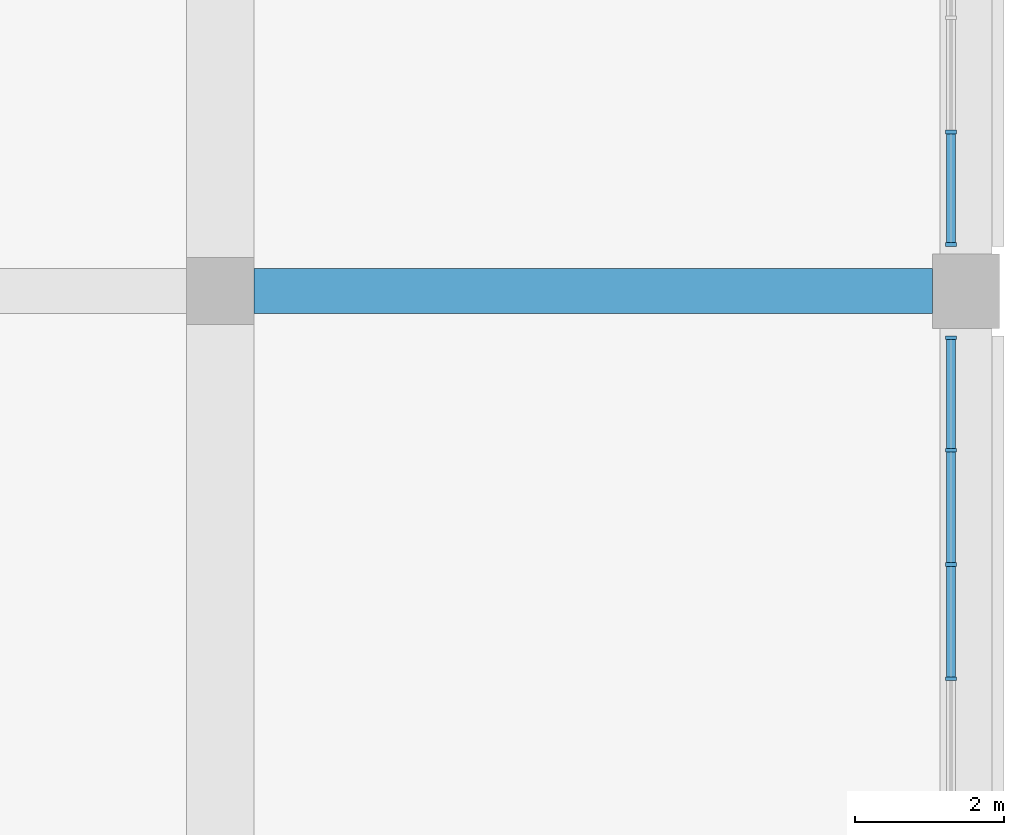
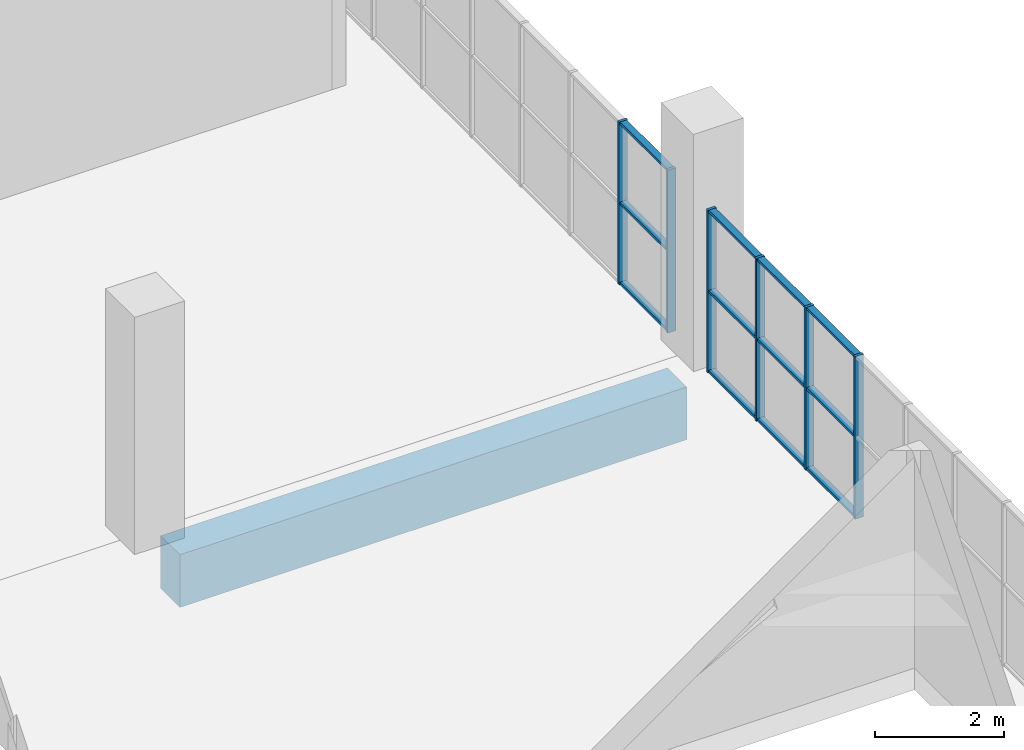
# One storey, part 33 of 199: 18 members, 1 beam, 2 elements without a shape of their own.
"""IFC4 building model written with IfcOpenShell, lengths in metres."""

from ifc_helpers import new_model, si_unit, direction, frame, origin, origin_2d, place, context, subcontext, project, spatial, rectangle, extrude, material, material_profile, profile_set, type_object, element, aggregate, save


model = new_model("IFC4")

# Units and contexts
model_context = context("Model", 3, precision=1e-05, world=origin(), true_north=direction((0.0, 1.0)))
body_context = subcontext(model_context, "Body", "Model", "MODEL_VIEW")
ifc_project = project(units=[si_unit("LENGTHUNIT", "METRE"), si_unit("AREAUNIT", "SQUARE_METRE"), si_unit("VOLUMEUNIT", "CUBIC_METRE"), si_unit("PLANEANGLEUNIT", "RADIAN"), si_unit("MASSUNIT", "GRAM", prefix="KILO")], contexts=[model_context])

# Site, building, storey
site_placement = place(None, origin())
site = spatial("IfcSite", under=ifc_project, at=site_placement, CompositionType="ELEMENT")
building_placement = place(site_placement, origin())
building = spatial("IfcBuilding", under=site, at=building_placement, Name="Ogive Plaza Stadium", CompositionType="ELEMENT")
storey_placement = place(building_placement, frame((0.0, 0.0, 9.0)))
storey = spatial("IfcBuildingStorey", under=building, at=storey_placement, Name="L02", CompositionType="ELEMENT", Elevation=9.0)

# Curtain wall, members
ifc_material_1 = material(Name="Bronze-anodised aluminium with laminated glass", Category="aluminium")
curtain_wall_type = type_object("IfcCurtainWallType", Name="Lancet curtain wall", PredefinedType="NOTDEFINED", material=ifc_material_1)
curtain_wall_1_placement = place(storey_placement, origin())
curtain_wall_1 = element("IfcCurtainWall", 1, at=curtain_wall_1_placement, inside=storey, type_object=curtain_wall_type, Name="CURTAIN WALL B02 L02", PredefinedType="NOTDEFINED")
ifc_material_2 = material(Name="Bronze-anodised aluminium", Category="aluminium")
ifc_material_profile_1 = material_profile(ifc_material_2, rectangle(XDim=0.14990234375, YDim=0.050048828125, at=origin_2d()), Name="AL 150x50")
ifc_profile_set_1 = profile_set([ifc_material_profile_1], Name="Bronze-anodised aluminium")
member_type_1 = type_object("IfcMemberType", Name="Curtain wall mullion 50x150", PredefinedType="MULLION", material=ifc_profile_set_1)
member_1_placement = place(storey_placement, frame((83.800048828125, 24.63330078125, 0.0), z_axis=(0.0, 0.0, 1.0), x_axis=(1.0, 0.0, 0.0)))
member_1 = element("IfcMember", 2, at=member_1_placement, type_object=member_type_1, Name="CW-B02-L02 mullion 9", PredefinedType="MULLION", context=body_context, shape_type="SweptSolid", body=[
    extrude(rectangle(XDim=0.14990234375, YDim=0.050048828125, at=origin_2d()), origin(), (0.0, 0.0, 1.0), 3.090087890625),
])
member_2_placement = place(storey_placement, frame((83.800048828125, 23.125, 0.0), z_axis=(0.0, 0.0, 1.0), x_axis=(1.0, 0.0, 0.0)))
member_2 = element("IfcMember", 3, at=member_2_placement, type_object=member_type_1, Name="CW-B02-L02 mullion 10", PredefinedType="MULLION", context=body_context, shape_type="SweptSolid", body=[
    extrude(rectangle(XDim=0.14990234375, YDim=0.050048828125, at=origin_2d()), origin(), (0.0, 0.0, 1.0), 3.090087890625),
])

curtain_wall_2_placement = place(storey_placement, origin())
curtain_wall_2 = element("IfcCurtainWall", 4, at=curtain_wall_2_placement, inside=storey, type_object=curtain_wall_type, Name="CURTAIN WALL B03 L02", PredefinedType="NOTDEFINED")
member_3_placement = place(storey_placement, frame((83.800048828125, 21.875, 0.0), z_axis=(0.0, 0.0, 1.0), x_axis=(1.0, 0.0, 0.0)))
member_3 = element("IfcMember", 5, at=member_3_placement, type_object=member_type_1, Name="CW-B03-L02 mullion 1", PredefinedType="MULLION", context=body_context, shape_type="SweptSolid", body=[
    extrude(rectangle(XDim=0.14990234375, YDim=0.050048828125, at=origin_2d()), origin(), (0.0, 0.0, 1.0), 3.090087890625),
])
member_4_placement = place(storey_placement, frame((83.800048828125, 20.36669921875, 0.0), z_axis=(0.0, 0.0, 1.0), x_axis=(1.0, 0.0, 0.0)))
member_4 = element("IfcMember", 6, at=member_4_placement, type_object=member_type_1, Name="CW-B03-L02 mullion 2", PredefinedType="MULLION", context=body_context, shape_type="SweptSolid", body=[
    extrude(rectangle(XDim=0.14990234375, YDim=0.050048828125, at=origin_2d()), origin(), (0.0, 0.0, 1.0), 3.090087890625),
])
member_5_placement = place(storey_placement, frame((83.800048828125, 18.833251953125, 0.0), z_axis=(0.0, 0.0, 1.0), x_axis=(1.0, 0.0, 0.0)))
member_5 = element("IfcMember", 7, at=member_5_placement, type_object=member_type_1, Name="CW-B03-L02 mullion 3", PredefinedType="MULLION", context=body_context, shape_type="SweptSolid", body=[
    extrude(rectangle(XDim=0.14990234375, YDim=0.050048828125, at=origin_2d()), origin(), (0.0, 0.0, 1.0), 3.090087890625),
])
member_6_placement = place(storey_placement, frame((83.800048828125, 17.300048828125, 0.0), z_axis=(0.0, 0.0, 1.0), x_axis=(1.0, 0.0, 0.0)))
member_6 = element("IfcMember", 8, at=member_6_placement, type_object=member_type_1, Name="CW-B03-L02 mullion 4", PredefinedType="MULLION", context=body_context, shape_type="SweptSolid", body=[
    extrude(rectangle(XDim=0.14990234375, YDim=0.050048828125, at=origin_2d()), origin(), (0.0, 0.0, 1.0), 3.090087890625),
])

# Member
ifc_material_3 = material(Name="Bronze-anodised aluminium", Category="aluminium")
ifc_material_profile_2 = material_profile(ifc_material_3, rectangle(XDim=0.1201171875, YDim=0.050048828125, at=origin_2d()), Name="AL 120x50")
ifc_profile_set_2 = profile_set([ifc_material_profile_2], Name="Bronze-anodised aluminium")
member_type_2 = type_object("IfcMemberType", Name="Curtain wall transom 50x120", PredefinedType="USERDEFINED", material=ifc_profile_set_2)
member_7_placement = place(storey_placement, frame((83.800048828125, 24.6083984375, 0.02490234375), z_axis=(0.0, -1.0, 0.0), x_axis=(1.0, 0.0, 0.0)))
member_7 = element("IfcMember", 9, at=member_7_placement, type_object=member_type_2, Name="CW-B02-L02 transom 9.1", ObjectType="TRANSOM", PredefinedType="USERDEFINED", context=body_context, shape_type="SweptSolid", body=[
    extrude(rectangle(XDim=0.1201171875, YDim=0.050048828125, at=origin_2d()), origin(), (0.0, 0.0, 1.0), 1.45849609375),
])

member_8_placement = place(storey_placement, frame((83.800048828125, 24.6083984375, 1.544921875), z_axis=(0.0, -1.0, 0.0), x_axis=(1.0, 0.0, 0.0)))
member_8 = element("IfcMember", 10, at=member_8_placement, type_object=member_type_2, Name="CW-B02-L02 transom 9.2", ObjectType="TRANSOM", PredefinedType="USERDEFINED", context=body_context, shape_type="SweptSolid", body=[
    extrude(rectangle(XDim=0.1201171875, YDim=0.050048828125, at=origin_2d()), origin(), (0.0, 0.0, 1.0), 1.45849609375),
])

member_9_placement = place(storey_placement, frame((83.800048828125, 24.6083984375, 3.06494140625), z_axis=(0.0, -1.0, 0.0), x_axis=(1.0, 0.0, 0.0)))
member_9 = element("IfcMember", 11, at=member_9_placement, type_object=member_type_2, Name="CW-B02-L02 transom 9.3", ObjectType="TRANSOM", PredefinedType="USERDEFINED", context=body_context, shape_type="SweptSolid", body=[
    extrude(rectangle(XDim=0.1201171875, YDim=0.050048828125, at=origin_2d()), origin(), (0.0, 0.0, 1.0), 1.45849609375),
])

aggregate(curtain_wall_1, [member_1, member_2, member_7, member_8, member_9])

member_10_placement = place(storey_placement, frame((83.800048828125, 21.85009765625, 0.02490234375), z_axis=(0.0, -1.0, 0.0), x_axis=(1.0, 0.0, 0.0)))
member_10 = element("IfcMember", 12, at=member_10_placement, type_object=member_type_2, Name="CW-B03-L02 transom 1.1", ObjectType="TRANSOM", PredefinedType="USERDEFINED", context=body_context, shape_type="SweptSolid", body=[
    extrude(rectangle(XDim=0.1201171875, YDim=0.050048828125, at=origin_2d()), origin(), (0.0, 0.0, 1.0), 1.45849609375),
])

member_11_placement = place(storey_placement, frame((83.800048828125, 21.85009765625, 1.544921875), z_axis=(0.0, -1.0, 0.0), x_axis=(1.0, 0.0, 0.0)))
member_11 = element("IfcMember", 13, at=member_11_placement, type_object=member_type_2, Name="CW-B03-L02 transom 1.2", ObjectType="TRANSOM", PredefinedType="USERDEFINED", context=body_context, shape_type="SweptSolid", body=[
    extrude(rectangle(XDim=0.1201171875, YDim=0.050048828125, at=origin_2d()), origin(), (0.0, 0.0, 1.0), 1.45849609375),
])

member_12_placement = place(storey_placement, frame((83.800048828125, 21.85009765625, 3.06494140625), z_axis=(0.0, -1.0, 0.0), x_axis=(1.0, 0.0, 0.0)))
member_12 = element("IfcMember", 14, at=member_12_placement, type_object=member_type_2, Name="CW-B03-L02 transom 1.3", ObjectType="TRANSOM", PredefinedType="USERDEFINED", context=body_context, shape_type="SweptSolid", body=[
    extrude(rectangle(XDim=0.1201171875, YDim=0.050048828125, at=origin_2d()), origin(), (0.0, 0.0, 1.0), 1.45849609375),
])

member_13_placement = place(storey_placement, frame((83.800048828125, 20.341552734375, 0.02490234375), z_axis=(0.0, -1.0, 0.0), x_axis=(1.0, 0.0, 0.0)))
member_13 = element("IfcMember", 15, at=member_13_placement, type_object=member_type_2, Name="CW-B03-L02 transom 2.1", ObjectType="TRANSOM", PredefinedType="USERDEFINED", context=body_context, shape_type="SweptSolid", body=[
    extrude(rectangle(XDim=0.1201171875, YDim=0.050048828125, at=origin_2d()), origin(), (0.0, 0.0, 1.0), 1.483154296875),
])

member_14_placement = place(storey_placement, frame((83.800048828125, 20.341552734375, 1.544921875), z_axis=(0.0, -1.0, 0.0), x_axis=(1.0, 0.0, 0.0)))
member_14 = element("IfcMember", 16, at=member_14_placement, type_object=member_type_2, Name="CW-B03-L02 transom 2.2", ObjectType="TRANSOM", PredefinedType="USERDEFINED", context=body_context, shape_type="SweptSolid", body=[
    extrude(rectangle(XDim=0.1201171875, YDim=0.050048828125, at=origin_2d()), origin(), (0.0, 0.0, 1.0), 1.483154296875),
])

member_15_placement = place(storey_placement, frame((83.800048828125, 20.341552734375, 3.06494140625), z_axis=(0.0, -1.0, 0.0), x_axis=(1.0, 0.0, 0.0)))
member_15 = element("IfcMember", 17, at=member_15_placement, type_object=member_type_2, Name="CW-B03-L02 transom 2.3", ObjectType="TRANSOM", PredefinedType="USERDEFINED", context=body_context, shape_type="SweptSolid", body=[
    extrude(rectangle(XDim=0.1201171875, YDim=0.050048828125, at=origin_2d()), origin(), (0.0, 0.0, 1.0), 1.483154296875),
])

member_16_placement = place(storey_placement, frame((83.800048828125, 18.808349609375, 0.02490234375), z_axis=(0.0, -1.0, 0.0), x_axis=(1.0, 0.0, 0.0)))
member_16 = element("IfcMember", 18, at=member_16_placement, type_object=member_type_2, Name="CW-B03-L02 transom 3.1", ObjectType="TRANSOM", PredefinedType="USERDEFINED", context=body_context, shape_type="SweptSolid", body=[
    extrude(rectangle(XDim=0.1201171875, YDim=0.050048828125, at=origin_2d()), origin(), (0.0, 0.0, 1.0), 1.4833984375),
])

member_17_placement = place(storey_placement, frame((83.800048828125, 18.808349609375, 1.544921875), z_axis=(0.0, -1.0, 0.0), x_axis=(1.0, 0.0, 0.0)))
member_17 = element("IfcMember", 19, at=member_17_placement, type_object=member_type_2, Name="CW-B03-L02 transom 3.2", ObjectType="TRANSOM", PredefinedType="USERDEFINED", context=body_context, shape_type="SweptSolid", body=[
    extrude(rectangle(XDim=0.1201171875, YDim=0.050048828125, at=origin_2d()), origin(), (0.0, 0.0, 1.0), 1.4833984375),
])

member_18_placement = place(storey_placement, frame((83.800048828125, 18.808349609375, 3.06494140625), z_axis=(0.0, -1.0, 0.0), x_axis=(1.0, 0.0, 0.0)))
member_18 = element("IfcMember", 20, at=member_18_placement, type_object=member_type_2, Name="CW-B03-L02 transom 3.3", ObjectType="TRANSOM", PredefinedType="USERDEFINED", context=body_context, shape_type="SweptSolid", body=[
    extrude(rectangle(XDim=0.1201171875, YDim=0.050048828125, at=origin_2d()), origin(), (0.0, 0.0, 1.0), 1.4833984375),
])

aggregate(curtain_wall_2, [member_3, member_4, member_5, member_6, member_10, member_11, member_12, member_13, member_14, member_15, member_16, member_17, member_18])

# Beam
ifc_material_4 = material(Name="Concrete C40/50", Category="concrete")
ifc_material_profile_3 = material_profile(ifc_material_4, rectangle(XDim=0.60009765625, YDim=1.0, at=origin_2d()), Name="RC 600x1000")
ifc_profile_set_3 = profile_set([ifc_material_profile_3], Name="Concrete C40/50")
beam_type = type_object("IfcBeamType", Name="RC radial beam 600x1000", PredefinedType="BEAM", material=ifc_profile_set_3)
beam_placement = place(storey_placement, frame((74.449951171875, 22.5, -0.909912109375), z_axis=(1.0, 0.0, 0.0), x_axis=(0.0, 1.0, 0.0)))
element("IfcBeam", 21, at=beam_placement, inside=storey, type_object=beam_type, Name="Radial beam L02 R03 F4F5", PredefinedType="BEAM", context=body_context, shape_type="SweptSolid", body=[
    extrude(rectangle(XDim=0.60009765625, YDim=1.0, at=origin_2d()), origin(), (0.0, 0.0, 1.0), 9.10009765625),
])

save(model, "model.ifc")
